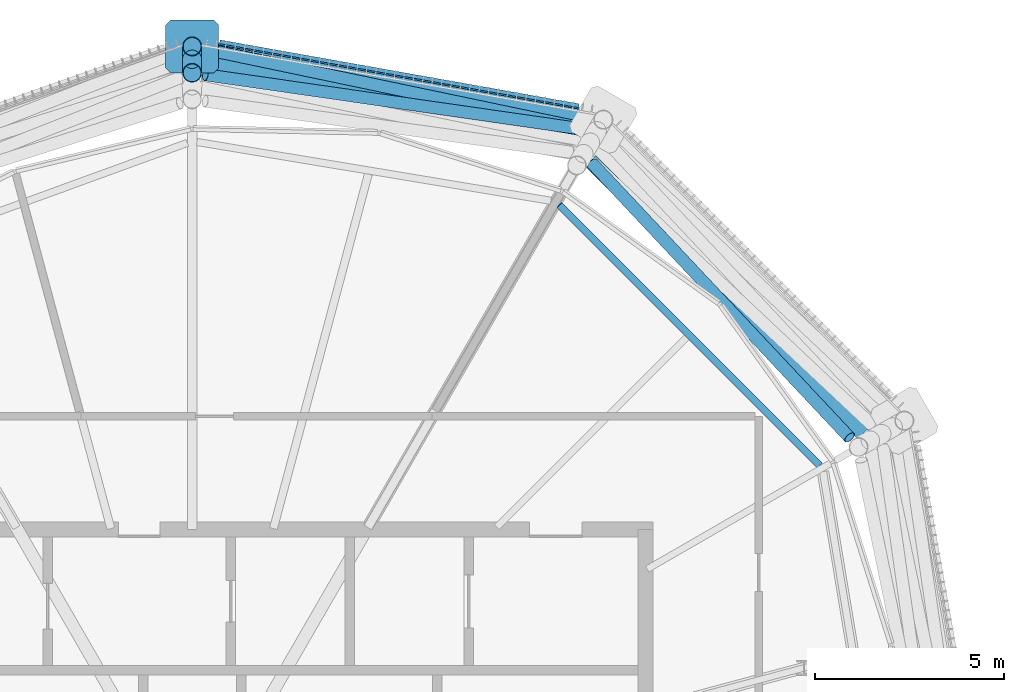
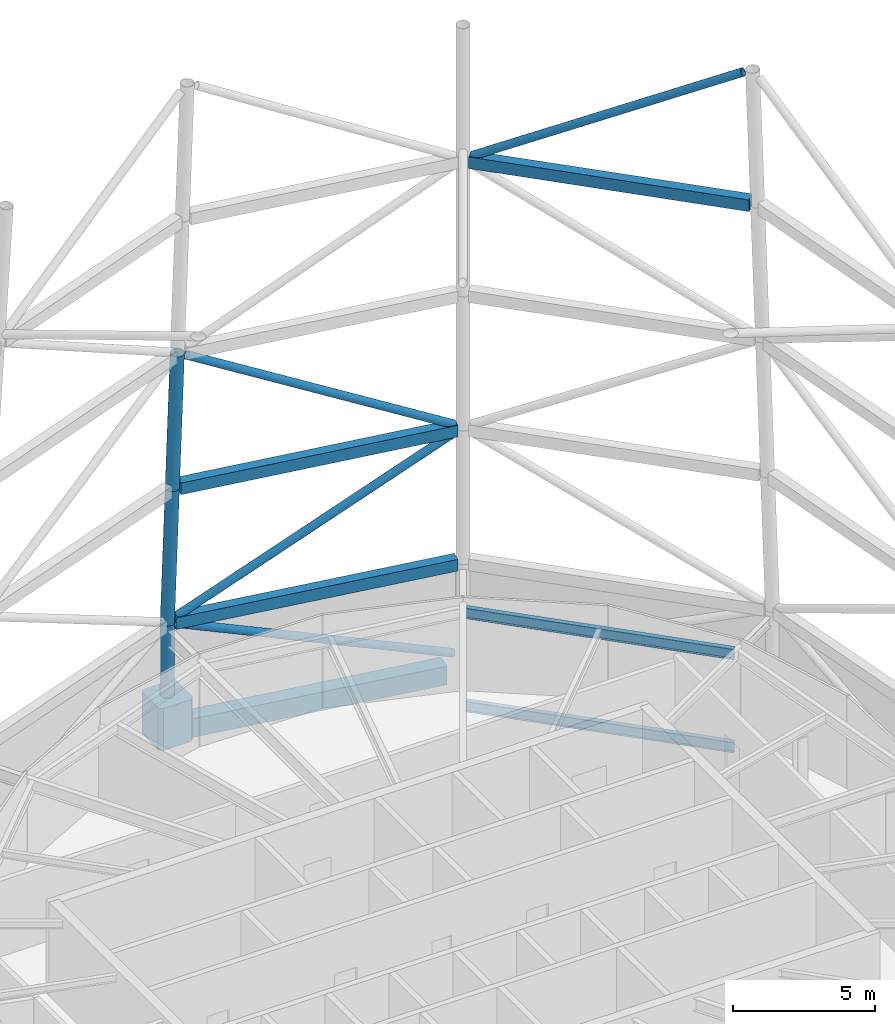
# One storey, part 60 of 71: 8 members, 6 beams.
"""IFC4 building model written with IfcOpenShell, lengths in metres."""

from ifc_helpers import new_model, si_unit, direction, frame, origin, origin_2d, place, context, subcontext, project, spatial, polyline, hollow_rectangle, hollow_circle, i_section, outline, extrude, material, material_profile, profile_set, type_object, element, save


model = new_model("IFC4")

# Units and contexts
model_context = context("Model", 3, precision=1e-05, world=origin(), true_north=direction((0.0, 1.0)))
body_context = subcontext(model_context, "Body", "Model", "MODEL_VIEW")
ifc_project = project(units=[si_unit("LENGTHUNIT", "METRE"), si_unit("AREAUNIT", "SQUARE_METRE"), si_unit("VOLUMEUNIT", "CUBIC_METRE"), si_unit("PLANEANGLEUNIT", "RADIAN"), si_unit("MASSUNIT", "GRAM", prefix="KILO")], contexts=[model_context])

# Site, building, storey
site_placement = place(None, origin())
site = spatial("IfcSite", under=ifc_project, at=site_placement, CompositionType="ELEMENT")
building_placement = place(site_placement, origin())
building = spatial("IfcBuilding", under=site, at=building_placement, Name="Rimbun Link Towers", CompositionType="ELEMENT")
storey_placement = place(building_placement, frame((0.0, 0.0, 267.60009765625)))
storey = spatial("IfcBuildingStorey", under=building, at=storey_placement, Name="L65", CompositionType="ELEMENT", Elevation=267.60009765625)

# Members
ifc_material_1 = material(Name="Steel S355J2H", Category="steel")
ifc_material_profile_1 = material_profile(ifc_material_1, hollow_circle(Radius=0.161865234375, WallThickness=0.011962890625, at=origin_2d()), Name="Crown frame brace CHS 324x12")
ifc_profile_set_1 = profile_set([ifc_material_profile_1], Name="Steel S355J2H")
member_type_1 = type_object("IfcMemberType", Name="Crown frame brace CHS 324x12", PredefinedType="BRACE", material=ifc_profile_set_1)
member_1_placement = place(storey_placement, frame((42.26416015625, 18.918212890625, 0.135986328125), z_axis=(-0.925781566511, 0.16486215819, 0.34021898816), x_axis=(-0.175320698059, -0.984511377706, 0.0)))
element("IfcMember", 1, at=member_1_placement, inside=storey, type_object=member_type_1, Name="CROWN FRAME brace T2 1-00", PredefinedType="BRACE", context=body_context, shape_type="SweptSolid", body=[
    extrude(hollow_circle(Radius=0.161865234375, WallThickness=0.011962890625, at=origin_2d()), origin(), (0.0, 0.0, 1.0), 10.95703125),
])
member_2_placement = place(storey_placement, frame((32.09326171875, 20.71875, 4.192138671875), z_axis=(0.858220840422, -0.1796130331, 0.480828605021), x_axis=(0.204847218503, 0.97879396048, 0.0)))
element("IfcMember", 2, at=member_2_placement, inside=storey, type_object=member_type_1, Name="CROWN FRAME brace T2 2-00", PredefinedType="BRACE", context=body_context, shape_type="SweptSolid", body=[
    extrude(hollow_circle(Radius=0.161865234375, WallThickness=0.011962890625, at=origin_2d()), origin(), (0.0, 0.0, 1.0), 11.6787109375),
])
member_3_placement = place(storey_placement, frame((42.11328125, 18.59912109375, 10.19384765625), z_axis=(-0.865617190084, 0.124578832743, 0.484960817657), x_axis=(-0.142451368318, -0.989801802213, 0.0)))
element("IfcMember", 3, at=member_3_placement, inside=storey, type_object=member_type_1, Name="CROWN FRAME brace T2 3-00", PredefinedType="BRACE", context=body_context, shape_type="SweptSolid", body=[
    extrude(hollow_circle(Radius=0.161865234375, WallThickness=0.011962890625, at=origin_2d()), origin(), (0.0, 0.0, 1.0), 11.572265625),
])
member_4_placement = place(storey_placement, frame((42.347900390625, 17.68896484375, 22.1962890625), z_axis=(0.596036429538, -0.635176183594, 0.491214607334), x_axis=(0.729217049015, 0.684282467572, 0.0)))
element("IfcMember", 4, at=member_4_placement, inside=storey, type_object=member_type_1, Name="CROWN FRAME brace T2 5-11", PredefinedType="BRACE", context=body_context, shape_type="SweptSolid", body=[
    extrude(hollow_circle(Radius=0.161865234375, WallThickness=0.011962890625, at=origin_2d()), origin(), (0.0, 0.0, 1.0), 11.4150390625),
])
ifc_material_2 = material(Name="Steel S355J2H", Category="steel")
ifc_material_profile_2 = material_profile(ifc_material_2, hollow_circle(Radius=0.25390625, WallThickness=0.02001953125, at=origin_2d()), Name="Crown frame post CHS 508x20")
ifc_profile_set_2 = profile_set([ifc_material_profile_2], Name="Steel S355J2H")
member_type_2 = type_object("IfcMemberType", Name="Crown frame post CHS 508x20", PredefinedType="POST", material=ifc_profile_set_2)
member_5_placement = place(storey_placement, frame((31.75, 20.79052734375, 0.0), z_axis=(0.0, 0.0, 1.0), x_axis=(1.0, 0.0, 0.0)))
element("IfcMember", 5, at=member_5_placement, inside=storey, type_object=member_type_2, Name="CROWN FRAME post T2 1-01", PredefinedType="POST", context=body_context, shape_type="SweptSolid", body=[
    extrude(hollow_circle(Radius=0.25390625, WallThickness=0.02001953125, at=origin_2d()), origin(), (0.0, 0.0, 1.0), 4.0),
])
for number, where, z_axis, x_axis, name in (
    (6, (31.75, 20.79052734375, 4.0), (0.0, -0.058250531515, 0.998301996181), (1.0, 0.0, 0.0), "CROWN FRAME post T2 2-01"),
    (7, (31.75, 20.4404296875, 10.0), (0.0, -0.058210048192, 0.998304357543), (1.0, 0.0, 0.0), "CROWN FRAME post T2 3-01"),
):
    element("IfcMember", number, at=place(storey_placement, frame(where, z_axis=z_axis, x_axis=x_axis)), inside=storey, type_object=member_type_2, Name=name, PredefinedType="POST", context=body_context, shape_type="SweptSolid", body=[
        extrude(hollow_circle(Radius=0.25390625, WallThickness=0.02001953125, at=origin_2d()), origin(), (0.0, 0.0, 1.0), 6.01025390625),
    ])

# Beams
ifc_material_3 = material(Name="Steel S355J2", Category="steel")
ifc_material_profile_3 = material_profile(ifc_material_3, hollow_rectangle(XDim=0.39990234375, YDim=0.5, WallThickness=0.02001953125, at=origin_2d()), Name="Crown frame ring beam BOX 400x500x20")
ifc_profile_set_3 = profile_set([ifc_material_profile_3], Name="Steel S355J2")
beam_type_1 = type_object("IfcBeamType", Name="Crown frame ring beam BOX 400x500x20", PredefinedType="BEAM", material=ifc_profile_set_3)
beam_1_placement = place(storey_placement, frame((42.38427734375, 18.896728515625, 4.0), z_axis=(-0.984509011311, 0.175333986004, 0.0), x_axis=(-0.175333986004, -0.984509011311, 0.0)))
element("IfcBeam", 8, at=beam_1_placement, inside=storey, type_object=beam_type_1, Name="CROWN FRAME ring beam T2 1-00", PredefinedType="BEAM", context=body_context, shape_type="SweptSolid", body=[
    extrude(hollow_rectangle(XDim=0.39990234375, YDim=0.5, WallThickness=0.02001953125, at=origin_2d()), origin(), (0.0, 0.0, 1.0), 10.547607421875),
])
beam_2_placement = place(storey_placement, frame((42.209228515625, 18.593505859375, 10.0), z_axis=(-0.984765298648, 0.17388877646, 0.0), x_axis=(-0.17388877646, -0.984765298648, 0.0)))
element("IfcBeam", 9, at=beam_2_placement, inside=storey, type_object=beam_type_1, Name="CROWN FRAME ring beam T2 2-00", PredefinedType="BEAM", context=body_context, shape_type="SweptSolid", body=[
    extrude(hollow_rectangle(XDim=0.39990234375, YDim=0.5, WallThickness=0.02001953125, at=origin_2d()), origin(), (0.0, 0.0, 1.0), 10.3671875),
])
beam_3_placement = place(storey_placement, frame((49.513427734375, 10.5390625, 22.0), z_axis=(-0.707106781187, 0.707106781187, 0.0), x_axis=(-0.707106781187, -0.707106781187, 0.0)))
element("IfcBeam", 10, at=beam_3_placement, inside=storey, type_object=beam_type_1, Name="CROWN FRAME ring beam T2 4-11", PredefinedType="BEAM", context=body_context, shape_type="SweptSolid", body=[
    extrude(hollow_rectangle(XDim=0.39990234375, YDim=0.5, WallThickness=0.02001953125, at=origin_2d()), origin(), (0.0, 0.0, 1.0), 10.216796875),
])

# Member
ifc_material_4 = material(Name="Cast steel G20Mn5+QT, Rp0.2 300 MPa", Category="steel")
ifc_material_profile_4 = material_profile(ifc_material_4, outline(polyline([(0.699951171875, -0.570068359375), (0.699951171875, 0.570068359375), (0.570068359375, 0.699951171875), (-0.570068359375, 0.699951171875), (-0.699951171875, 0.570068359375), (-0.699951171875, -0.570068359375), (-0.570068359375, -0.699951171875), (0.570068359375, -0.699951171875), (0.699951171875, -0.570068359375)])), Name="NODE 1400x1400")
ifc_profile_set_4 = profile_set([ifc_material_profile_4], Name="Cast steel G20Mn5+QT, Rp0.2 300 MPa")
member_type_3 = type_object("IfcMemberType", Name="Diagrid node cast 1400", PredefinedType="USERDEFINED", material=ifc_profile_set_4)
member_6_placement = place(storey_placement, frame((31.75, 20.79052734375, -0.900146484375), z_axis=(0.0, 0.0, 1.0), x_axis=(0.0, 1.0, 0.0)))
element("IfcMember", 11, at=member_6_placement, inside=storey, type_object=member_type_3, Name="Diagrid node L65 03", ObjectType="Diagrid node", PredefinedType="USERDEFINED", context=body_context, shape_type="SweptSolid", body=[
    extrude(outline(polyline([(0.699951171875, -0.570068359375), (0.699951171875, 0.570068359375), (0.570068359375, 0.699951171875), (-0.570068359375, 0.699951171875), (-0.699951171875, 0.570068359375), (-0.699951171875, -0.570068359375), (-0.570068359375, -0.699951171875), (0.570068359375, -0.699951171875), (0.699951171875, -0.570068359375)])), origin(), (0.0, 0.0, 1.0), 1.800048828125),
])

# Beams
ifc_material_5 = material(Name="Steel S355J2", Category="steel")
ifc_material_profile_5 = material_profile(ifc_material_5, hollow_rectangle(XDim=0.60009765625, YDim=0.800048828125, WallThickness=0.0400390625, at=origin_2d()), Name="Exoskeleton ring girder BOX 600x800x40")
ifc_profile_set_5 = profile_set([ifc_material_profile_5], Name="Steel S355J2")
beam_type_2 = type_object("IfcBeamType", Name="Exoskeleton ring girder BOX 600x800x40", PredefinedType="BEAM", material=ifc_profile_set_5)
beam_4_placement = place(storey_placement, frame((41.9453125, 18.97509765625, -0.56005859375), z_axis=(-0.984515121725, 0.175299672263, 0.0), x_axis=(-0.175299672263, -0.984515121725, 0.0)))
element("IfcBeam", 12, at=beam_4_placement, inside=storey, type_object=beam_type_2, Name="Exoskeleton ring girder L65 00", PredefinedType="BEAM", context=body_context, shape_type="SweptSolid", body=[
    extrude(hollow_rectangle(XDim=0.60009765625, YDim=0.800048828125, WallThickness=0.0400390625, at=origin_2d()), origin(), (0.0, 0.0, 1.0), 9.655517578125),
])
ifc_material_6 = material(Name="Steel S355J2", Category="steel")
ifc_material_profile_6 = material_profile(ifc_material_6, i_section(OverallWidth=0.18994140625, OverallDepth=0.453369140625, WebThickness=0.008544921875, FlangeThickness=0.0126953125, at=origin_2d()), Name="UB 457x191x67")
ifc_profile_set_6 = profile_set([ifc_material_profile_6], Name="Steel S355J2")
beam_type_3 = type_object("IfcBeamType", Name="UB 457x191x67", PredefinedType="BEAM", material=ifc_profile_set_6)
beam_5_placement = place(storey_placement, frame((48.3662109375, 9.697265625, -0.4267578125), z_axis=(-0.707094272775, 0.707119289377, 0.0), x_axis=(-0.707119289377, -0.707094272775, 0.0)))
element("IfcBeam", 13, at=beam_5_placement, inside=storey, type_object=beam_type_3, Name="Edge beam T2 L65 23-01", PredefinedType="BEAM", context=body_context, shape_type="SweptSolid", body=[
    extrude(i_section(OverallWidth=0.18994140625, OverallDepth=0.453369140625, WebThickness=0.008544921875, FlangeThickness=0.0126953125, at=origin_2d()), origin(), (0.0, 0.0, 1.0), 9.759033203125),
])
beam_6_placement = place(storey_placement, frame((48.3662109375, 9.697265625, 3.5732421875), z_axis=(-0.707094255492, 0.707119306659, 0.0), x_axis=(-0.707119306659, -0.707094255492, 0.0)))
element("IfcBeam", 14, at=beam_6_placement, inside=storey, type_object=beam_type_3, Name="Edge beam T2 L65 23-01", PredefinedType="BEAM", context=body_context, shape_type="SweptSolid", body=[
    extrude(i_section(OverallWidth=0.18994140625, OverallDepth=0.453369140625, WebThickness=0.008544921875, FlangeThickness=0.0126953125, at=origin_2d()), origin(), (0.0, 0.0, 1.0), 9.74560546875),
])

save(model, "model.ifc")
